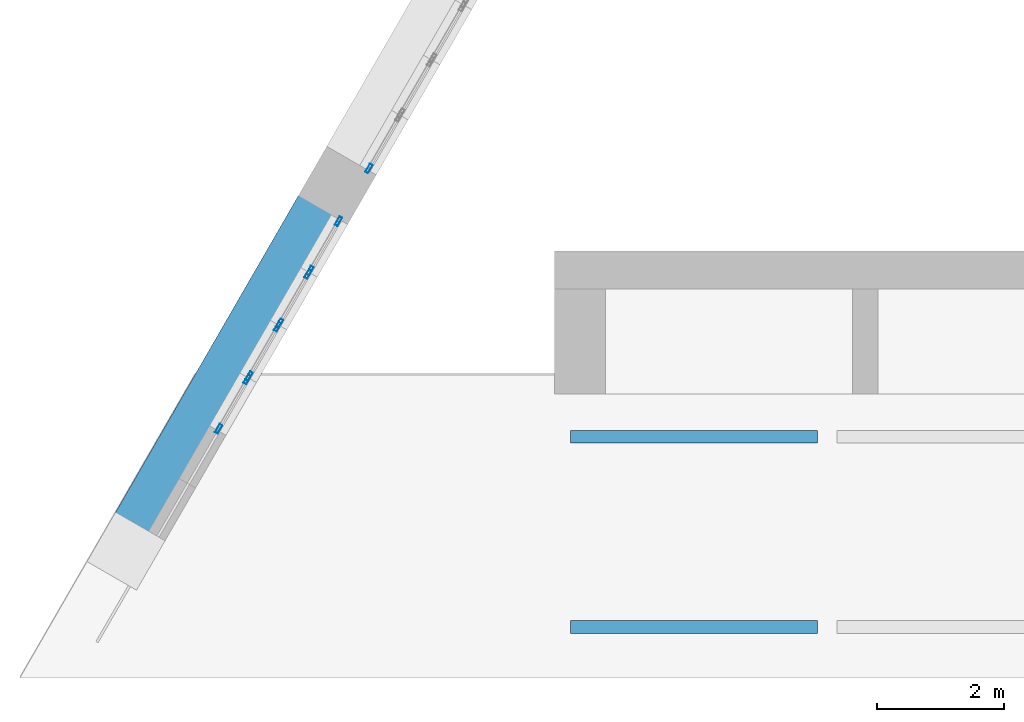
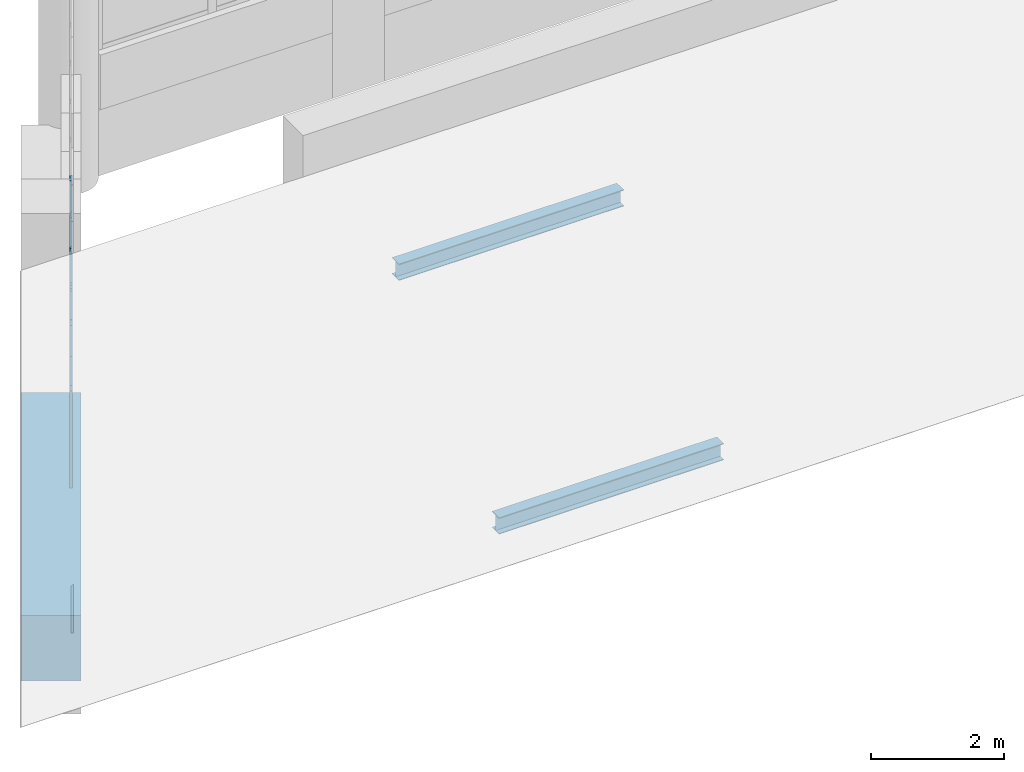
# One storey, part 2 of 11: 11 members, 1 beam, 5 elements without a shape of their own.
"""IFC4 building model written with IfcOpenShell, lengths in metres."""

from ifc_helpers import new_model, si_unit, direction, frame, origin, origin_2d, place, context, subcontext, project, spatial, rectangle, hollow_rectangle, i_section, extrude, material, material_profile, profile_set, type_object, element, aggregate, save


model = new_model("IFC4")

# Units and contexts
model_context = context("Model", 3, precision=1e-05, world=origin(), true_north=direction((0.0, 1.0)))
body_context = subcontext(model_context, "Body", "Model", "MODEL_VIEW")
ifc_project = project(units=[si_unit("LENGTHUNIT", "METRE"), si_unit("AREAUNIT", "SQUARE_METRE"), si_unit("VOLUMEUNIT", "CUBIC_METRE"), si_unit("PLANEANGLEUNIT", "RADIAN"), si_unit("MASSUNIT", "GRAM", prefix="KILO")], contexts=[model_context])

# Site, building, storey
site_placement = place(None, origin())
site = spatial("IfcSite", under=ifc_project, at=site_placement, CompositionType="ELEMENT")
building_placement = place(site_placement, origin())
building = spatial("IfcBuilding", under=site, at=building_placement, Name="Ostrander Bayou Hotel Tower", CompositionType="ELEMENT")
storey_placement = place(building_placement, frame((0.0, 0.0, 293.0)))
storey = spatial("IfcBuildingStorey", under=building, at=storey_placement, Name="Roof 72", CompositionType="ELEMENT", Elevation=293.0)

# Members
ifc_material_1 = material(Name="Steel ASTM A992", Category="steel")
ifc_material_profile_1 = material_profile(ifc_material_1, i_section(OverallWidth=0.203369140625, OverallDepth=0.30322265625, WebThickness=0.007568359375, FlangeThickness=0.01318359375, at=origin_2d()))
ifc_profile_set_1 = profile_set([ifc_material_profile_1], Name="Steel ASTM A992")
member_type_1 = type_object("IfcMemberType", Name="CP3 crown purlin W12x40", PredefinedType="PURLIN", material=ifc_profile_set_1)
for number, where, z_axis, x_axis, name in (
    (1, (-8.24609375, 3.76708984375, 0.25830078125), (1.0, 0.0, 0.0), (0.0, 1.0, 0.0), "CP3 P1-7"),
    (2, (-8.24609375, 6.76708984375, 3.083984375), (1.0, 0.0, 0.0), (0.0, 1.0, 0.0), "CP3 P1-8"),
):
    element("IfcMember", number, at=place(storey_placement, frame(where, z_axis=z_axis, x_axis=x_axis)), inside=storey, type_object=member_type_1, Name=name, PredefinedType="PURLIN", context=body_context, shape_type="SweptSolid", body=[
        extrude(i_section(OverallWidth=0.203369140625, OverallDepth=0.30322265625, WebThickness=0.007568359375, FlangeThickness=0.01318359375, at=origin_2d()), origin(), (0.0, 0.0, 1.0), 3.89208984375),
    ])

# Curtain wall, member
ifc_material_2 = material(Name="Aluminium and clear glass", Category="aluminium")
curtain_wall_type = type_object("IfcCurtainWallType", Name="CW-CROWN glazed wall", PredefinedType="NOTDEFINED", material=ifc_material_2)
curtain_wall_1_placement = place(storey_placement, origin())
curtain_wall_1 = element("IfcCurtainWall", 3, at=curtain_wall_1_placement, inside=storey, type_object=curtain_wall_type, Name="CW-CROWN L72:NW-1-6", PredefinedType="NOTDEFINED")
ifc_material_3 = material(Name="Aluminium", Category="aluminium")
ifc_material_profile_2 = material_profile(ifc_material_3, hollow_rectangle(XDim=0.050048828125, YDim=0.14990234375, WallThickness=0.00390625, at=origin_2d()))
ifc_profile_set_2 = profile_set([ifc_material_profile_2], Name="Aluminium")
member_type_2 = type_object("IfcMemberType", Name="CW-CR mullion 50 x 150 mm", PredefinedType="MULLION", material=ifc_profile_set_2)
member_1_placement = place(storey_placement, frame((-11.426513671875, 10.995849609375, 1.0), z_axis=(0.0, 0.0, 1.0), x_axis=(0.866026229865, -0.499998569184, 0.0)))
member_1 = element("IfcMember", 4, at=member_1_placement, type_object=member_type_2, Name="CW-CROWN mullion 2", PredefinedType="MULLION", context=body_context, shape_type="SweptSolid", body=[
    extrude(hollow_rectangle(XDim=0.050048828125, YDim=0.14990234375, WallThickness=0.00390625, at=origin_2d()), origin(), (0.0, 0.0, 1.0), 2.300048828125),
])
aggregate(curtain_wall_1, [member_1])

# Curtain wall, members
curtain_wall_2_placement = place(storey_placement, origin())
curtain_wall_2 = element("IfcCurtainWall", 5, at=curtain_wall_2_placement, inside=storey, type_object=curtain_wall_type, Name="CW-CROWN L72:NW-2-1", PredefinedType="NOTDEFINED")
member_2_placement = place(storey_placement, frame((-11.906494140625, 10.164306640625, 1.0), z_axis=(0.0, 0.0, 1.0), x_axis=(0.866022491007, -0.500005045044, 0.0)))
member_2 = element("IfcMember", 6, at=member_2_placement, type_object=member_type_2, Name="CW-CROWN mullion 1", PredefinedType="MULLION", context=body_context, shape_type="SweptSolid", body=[
    extrude(hollow_rectangle(XDim=0.050048828125, YDim=0.14990234375, WallThickness=0.00390625, at=origin_2d()), origin(), (0.0, 0.0, 1.0), 2.300048828125),
])
member_3_placement = place(storey_placement, frame((-12.3564453125, 9.38525390625, 1.0), z_axis=(0.0, 0.0, 1.0), x_axis=(0.866022491007, -0.500005045044, 0.0)))
member_3 = element("IfcMember", 7, at=member_3_placement, type_object=member_type_2, Name="CW-CROWN mullion 2", PredefinedType="MULLION", context=body_context, shape_type="SweptSolid", body=[
    extrude(hollow_rectangle(XDim=0.050048828125, YDim=0.14990234375, WallThickness=0.00390625, at=origin_2d()), origin(), (0.0, 0.0, 1.0), 2.300048828125),
])
aggregate(curtain_wall_2, [member_2, member_3])

curtain_wall_3_placement = place(storey_placement, origin())
curtain_wall_3 = element("IfcCurtainWall", 8, at=curtain_wall_3_placement, inside=storey, type_object=curtain_wall_type, Name="CW-CROWN L72:NW-2-2", PredefinedType="NOTDEFINED")
member_4_placement = place(storey_placement, frame((-12.386474609375, 9.333251953125, 1.0), z_axis=(0.0, 0.0, 1.0), x_axis=(0.866022491007, -0.500005045044, 0.0)))
member_4 = element("IfcMember", 9, at=member_4_placement, type_object=member_type_2, Name="CW-CROWN mullion 1", PredefinedType="MULLION", context=body_context, shape_type="SweptSolid", body=[
    extrude(hollow_rectangle(XDim=0.050048828125, YDim=0.14990234375, WallThickness=0.00390625, at=origin_2d()), origin(), (0.0, 0.0, 1.0), 2.300048828125),
])
member_5_placement = place(storey_placement, frame((-12.836181640625, 8.553955078125, 1.0), z_axis=(0.0, 0.0, 1.0), x_axis=(0.866022491007, -0.500005045044, 0.0)))
member_5 = element("IfcMember", 10, at=member_5_placement, type_object=member_type_2, Name="CW-CROWN mullion 2", PredefinedType="MULLION", context=body_context, shape_type="SweptSolid", body=[
    extrude(hollow_rectangle(XDim=0.050048828125, YDim=0.14990234375, WallThickness=0.00390625, at=origin_2d()), origin(), (0.0, 0.0, 1.0), 2.300048828125),
])
aggregate(curtain_wall_3, [member_4, member_5])

curtain_wall_4_placement = place(storey_placement, origin())
curtain_wall_4 = element("IfcCurtainWall", 11, at=curtain_wall_4_placement, inside=storey, type_object=curtain_wall_type, Name="CW-CROWN L72:NW-2-3", PredefinedType="NOTDEFINED")
member_6_placement = place(storey_placement, frame((-12.8662109375, 8.501953125, 1.0), z_axis=(0.0, 0.0, 1.0), x_axis=(0.866022491007, -0.500005045044, 0.0)))
member_6 = element("IfcMember", 12, at=member_6_placement, type_object=member_type_2, Name="CW-CROWN mullion 1", PredefinedType="MULLION", context=body_context, shape_type="SweptSolid", body=[
    extrude(hollow_rectangle(XDim=0.050048828125, YDim=0.14990234375, WallThickness=0.00390625, at=origin_2d()), origin(), (0.0, 0.0, 1.0), 2.300048828125),
])
member_7_placement = place(storey_placement, frame((-13.316162109375, 7.722900390625, 1.0), z_axis=(0.0, 0.0, 1.0), x_axis=(0.866022491007, -0.500005045044, 0.0)))
member_7 = element("IfcMember", 13, at=member_7_placement, type_object=member_type_2, Name="CW-CROWN mullion 2", PredefinedType="MULLION", context=body_context, shape_type="SweptSolid", body=[
    extrude(hollow_rectangle(XDim=0.050048828125, YDim=0.14990234375, WallThickness=0.00390625, at=origin_2d()), origin(), (0.0, 0.0, 1.0), 2.300048828125),
])
aggregate(curtain_wall_4, [member_6, member_7])

curtain_wall_5_placement = place(storey_placement, origin())
curtain_wall_5 = element("IfcCurtainWall", 14, at=curtain_wall_5_placement, inside=storey, type_object=curtain_wall_type, Name="CW-CROWN L72:NW-2-4", PredefinedType="NOTDEFINED")
member_8_placement = place(storey_placement, frame((-13.34619140625, 7.6708984375, 1.0), z_axis=(0.0, 0.0, 1.0), x_axis=(0.866048535364, -0.499959932788, 0.0)))
member_8 = element("IfcMember", 15, at=member_8_placement, type_object=member_type_2, Name="CW-CROWN mullion 1", PredefinedType="MULLION", context=body_context, shape_type="SweptSolid", body=[
    extrude(hollow_rectangle(XDim=0.050048828125, YDim=0.14990234375, WallThickness=0.00390625, at=origin_2d()), origin(), (0.0, 0.0, 1.0), 1.77197265625),
])
member_9_placement = place(storey_placement, frame((-13.796142578125, 6.8916015625, 1.0), z_axis=(0.0, 0.0, 1.0), x_axis=(0.866048535364, -0.499959932788, 0.0)))
member_9 = element("IfcMember", 16, at=member_9_placement, type_object=member_type_2, Name="CW-CROWN mullion 2", PredefinedType="MULLION", context=body_context, shape_type="SweptSolid", body=[
    extrude(hollow_rectangle(XDim=0.050048828125, YDim=0.14990234375, WallThickness=0.00390625, at=origin_2d()), origin(), (0.0, 0.0, 1.0), 1.77197265625),
])
aggregate(curtain_wall_5, [member_8, member_9])

# Beam
ifc_material_4 = material(Name="Concrete f'c 60 MPa", Category="concrete")
ifc_material_profile_3 = material_profile(ifc_material_4, rectangle(XDim=0.89990234375, YDim=1.199951171875, at=origin_2d()))
ifc_profile_set_3 = profile_set([ifc_material_profile_3], Name="Concrete f'c 60 MPa")
beam_type = type_object("IfcBeamType", Name="SP4 spandrel beam 900 x 1200 mm f'c 60 MPa", PredefinedType="SPANDREL", material=ifc_profile_set_3)
beam_placement = place(storey_placement, frame((-12.13623046875, 10.366455078125, -0.60009765625), z_axis=(-0.499997265274, -0.866026982673, 0.0), x_axis=(0.866026982673, -0.499997265274, 0.0)))
element("IfcBeam", 17, at=beam_placement, inside=storey, type_object=beam_type, Name="SP4 L72 NW-2", PredefinedType="SPANDREL", context=body_context, shape_type="SweptSolid", body=[
    extrude(rectangle(XDim=0.89990234375, YDim=1.199951171875, at=origin_2d()), origin(), (0.0, 0.0, 1.0), 5.81884765625),
])

save(model, "model.ifc")
